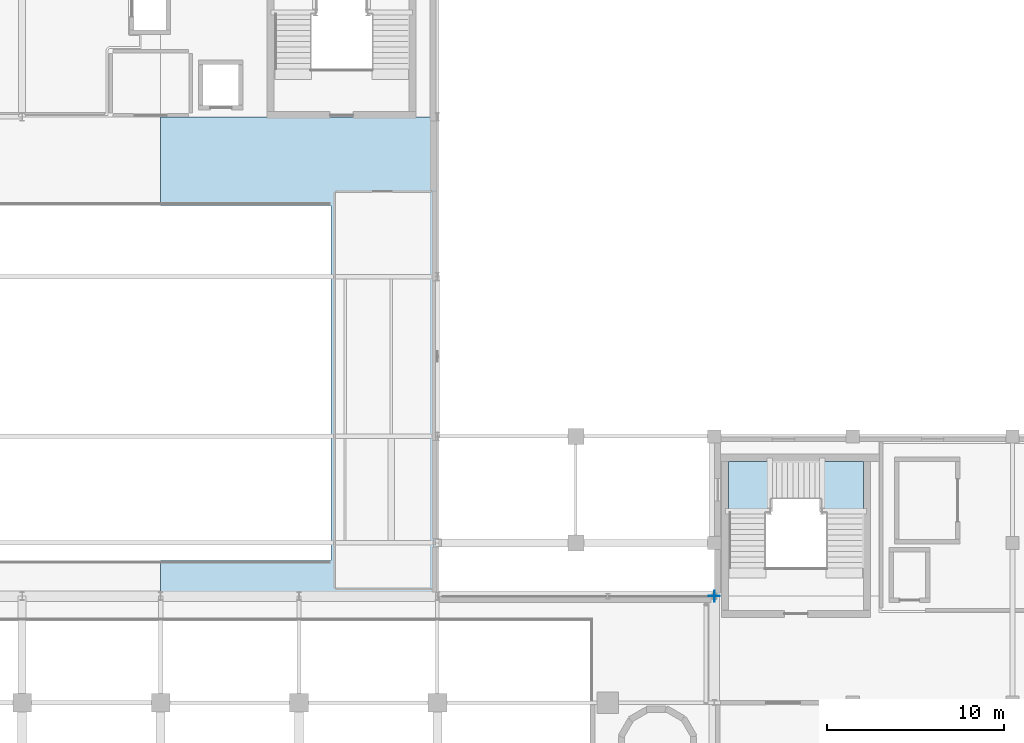
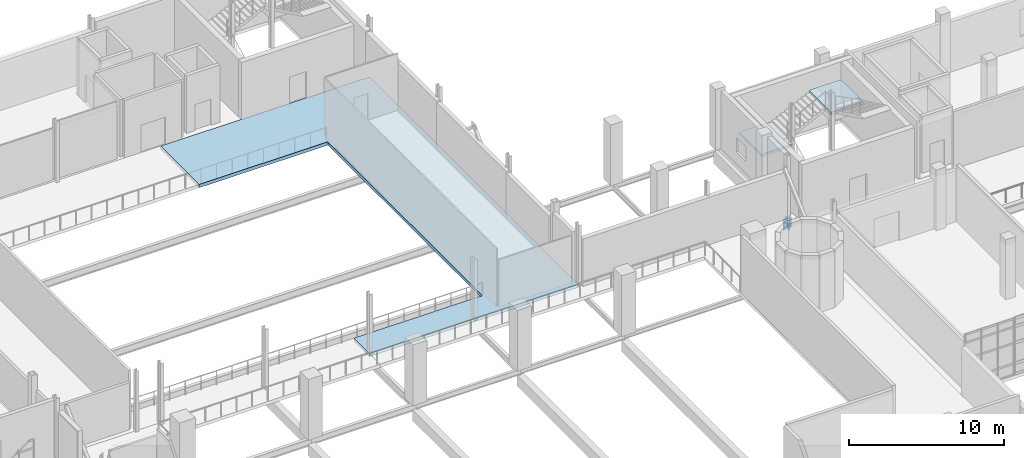
# One storey, part 74 of 102: 3 slabs, 2 plates, 1 element without a shape of its own.
"""IFC4 building model written with IfcOpenShell, lengths in metres."""

from ifc_helpers import new_model, si_unit, derived_unit, direction, frame, origin, origin_2d, place, context, subcontext, project, spatial, polyline, rectangle, outline, extrude, material, layer, layer_set, type_object, element, aggregate, save


model = new_model("IFC4")

# Units and contexts
model_context = context("Model", 3, precision=1e-05, world=origin(), true_north=direction((0.0, 1.0)))
body_context = subcontext(model_context, "Body", "Model", "MODEL_VIEW")
ifc_project = project(units=[si_unit("LENGTHUNIT", "METRE"), si_unit("AREAUNIT", "SQUARE_METRE"), si_unit("VOLUMEUNIT", "CUBIC_METRE"), si_unit("PLANEANGLEUNIT", "RADIAN"), si_unit("MASSUNIT", "GRAM", prefix="KILO"), derived_unit("THERMALTRANSMITTANCEUNIT", [(si_unit("POWERUNIT", "WATT"), 1), (si_unit("LENGTHUNIT", "METRE"), -2), (si_unit("THERMODYNAMICTEMPERATUREUNIT", "KELVIN"), -1)])], contexts=[model_context])

# Site, building, storey
site_placement = place(None, origin())
site = spatial("IfcSite", under=ifc_project, at=site_placement, CompositionType="ELEMENT")
building_placement = place(site_placement, origin())
building = spatial("IfcBuilding", under=site, at=building_placement, Name="Nallur Shell Playhouse", CompositionType="ELEMENT")
storey_placement = place(building_placement, frame((0.0, 0.0, 15.0)))
storey = spatial("IfcBuildingStorey", under=building, at=storey_placement, Name="L04", CompositionType="ELEMENT", Elevation=15.0)

# Plates
ifc_material_1 = material(Name="Steel E350", Category="steel")
ifc_layer_1 = layer(ifc_material_1, 0.02001953125)
ifc_layer_set_1 = layer_set([ifc_layer_1], Name="Steel E350")
plate_type = type_object("IfcPlateType", Name="PT-ENDCAP-20", PredefinedType="SHEET", material=ifc_layer_set_1)
plate_1_placement = place(storey_placement, frame((118.610107421875, 47.0, -1.06982421875), z_axis=(0.0, 0.0, 1.0), x_axis=(1.0, 0.0, 0.0)))
element("IfcPlate", 1, at=plate_1_placement, inside=storey, type_object=plate_type, Name="Hollow end cap EC-GB-L04-NB", PredefinedType="SHEET", context=body_context, shape_type="SweptSolid", body=[
    extrude(rectangle(XDim=0.02001953125, YDim=0.6201171875, at=origin_2d()), origin(), (0.0, 0.0, 1.0), 0.820068359375),
])
plate_2_placement = place(storey_placement, frame((118.60009765625, 47.010009765625, -1.06982421875), z_axis=(0.0, 0.0, 1.0), x_axis=(1.0, 0.0, 0.0)))
element("IfcPlate", 2, at=plate_2_placement, inside=storey, type_object=plate_type, Name="Hollow end cap EC-GB-L04-EB", PredefinedType="SHEET", context=body_context, shape_type="SweptSolid", body=[
    extrude(rectangle(XDim=0.6201171875, YDim=0.02001953125, at=origin_2d()), origin(), (0.0, 0.0, 1.0), 0.820068359375),
])

# Slab
ifc_material_2 = material(Name="Concrete M30", Category="concrete")
ifc_layer_2 = layer(ifc_material_2, 0.260009765625)
ifc_layer_set_2 = layer_set([ifc_layer_2], Name="Concrete M30")
slab_type_1 = type_object("IfcSlabType", Name="SL-FLOOR-260", PredefinedType="FLOOR", material=ifc_layer_set_2)
slab_1_placement = place(storey_placement, frame((0.0, 0.0, -0.260009765625)))
element("IfcSlab", 3, at=slab_1_placement, inside=storey, type_object=slab_type_1, Name="L04 structural floor slab panel 15", PredefinedType="FLOOR", context=body_context, shape_type="SweptSolid", body=[
    extrude(outline(polyline([(103.0, 70.0), (103.0, 47.0), (87.39990234375, 47.0), (87.39990234375, 49.0), (97.0, 49.0), (97.0, 69.0), (87.39990234375, 69.0), (87.39990234375, 74.0), (103.0, 74.0), (103.0, 70.0)])), origin(), (0.0, 0.0, 1.0), 0.260009765625),
])

# Stair, slabs
ifc_material_3 = material(Name="Concrete M35", Category="concrete")
stair_type = type_object("IfcStairType", Name="ST-CORE-48", PredefinedType="QUARTER_TURN_STAIR", material=ifc_material_3)
stair_placement = place(storey_placement, origin())
stair = element("IfcStair", 4, at=stair_placement, inside=storey, type_object=stair_type, Name="Core JC-2 exit stair ST-02-L04 (L04 to L05)", PredefinedType="QUARTER_TURN_STAIR")
ifc_layer_3 = layer(ifc_material_3, 0.199951171875)
ifc_layer_set_3 = layer_set([ifc_layer_3], Name="Concrete M35")
slab_type_2 = type_object("IfcSlabType", Name="SL-LANDING-200", PredefinedType="LANDING", material=ifc_layer_set_3)
slab_2_placement = place(storey_placement, frame((0.0, 0.0, 1.449951171875)))
slab_2 = element("IfcSlab", 5, at=slab_2_placement, type_object=slab_type_2, Name="ST-48 landing 1", PredefinedType="LANDING", context=body_context, shape_type="SweptSolid", body=[
    extrude(outline(polyline([(119.39990234375, 51.699951171875), (121.804931640625, 51.699951171875), (121.804931640625, 54.60009765625), (119.39990234375, 54.60009765625), (119.39990234375, 51.699951171875)])), origin(), (0.0, 0.0, 1.0), 0.199951171875),
])
slab_3_placement = place(storey_placement, frame((0.0, 0.0, 2.949951171875)))
slab_3 = element("IfcSlab", 6, at=slab_3_placement, type_object=slab_type_2, Name="ST-48 landing 2", PredefinedType="LANDING", context=body_context, shape_type="SweptSolid", body=[
    extrude(outline(polyline([(124.594970703125, 51.699951171875), (127.0, 51.699951171875), (127.0, 54.60009765625), (124.594970703125, 54.60009765625), (124.594970703125, 51.699951171875)])), origin(), (0.0, 0.0, 1.0), 0.199951171875),
])
aggregate(stair, [slab_2, slab_3])

save(model, "model.ifc")
